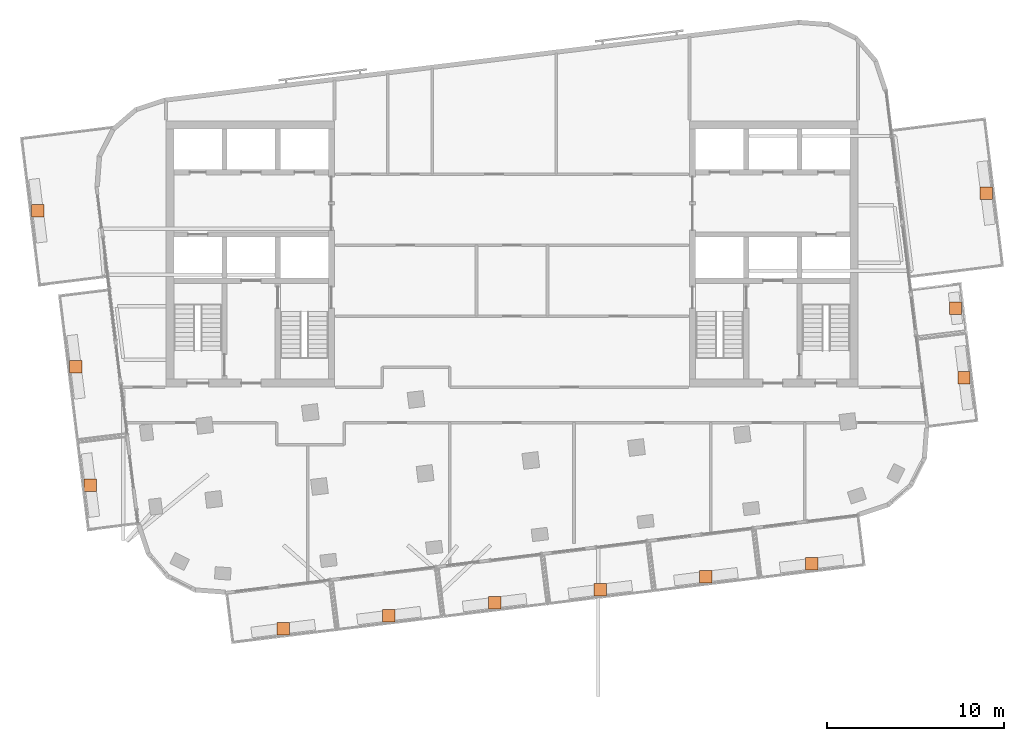
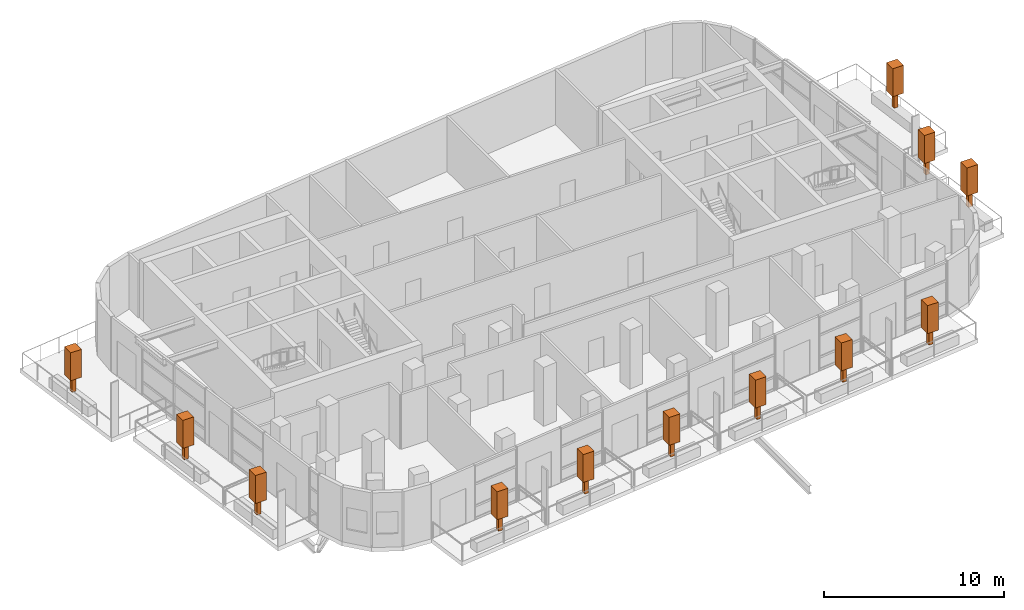
# One storey, part 13 of 13: 12 geographic elements.
"""IFC4 building model written with IfcOpenShell, lengths in metres."""

from ifc_helpers import new_model, si_unit, direction, frame, origin, origin_2d, place, context, subcontext, project, spatial, rectangle, extrude, material, element, save


model = new_model("IFC4")

# Units and contexts
model_context = context("Model", 3, precision=1e-05, world=origin(), true_north=direction((0.0, 1.0)))
body_context = subcontext(model_context, "Body", "Model", "MODEL_VIEW")
ifc_project = project(units=[si_unit("LENGTHUNIT", "METRE"), si_unit("AREAUNIT", "SQUARE_METRE"), si_unit("VOLUMEUNIT", "CUBIC_METRE"), si_unit("PLANEANGLEUNIT", "RADIAN"), si_unit("MASSUNIT", "GRAM", prefix="KILO")], contexts=[model_context])

# Site, building, storey
site_placement = place(None, origin())
site = spatial("IfcSite", under=ifc_project, at=site_placement, CompositionType="ELEMENT")
building_placement = place(site_placement, origin())
building = spatial("IfcBuilding", under=site, at=building_placement, Name="Torana Hotel and Residences", CompositionType="ELEMENT")
storey_placement = place(building_placement, frame((0.0, 0.0, 314.60009765625)))
storey = spatial("IfcBuildingStorey", under=building, at=storey_placement, Name="L83", CompositionType="ELEMENT", Elevation=314.60009765625)

# Geographic elements
ifc_material = material(Name="Foliage", Category="planting")
for number, where, z_axis, x_axis, name in (
    (1, (-12.8896484375, -28.605712890625, 0.64990234375), (0.0, 0.0, 1.0), (1.0, 0.0, 0.0), "Tree 01"),
    (2, (-6.934326171875, -27.87451171875, 0.64990234375), (0.0, 0.0, 1.0), (1.0, 0.0, 0.0), "Tree 02"),
    (3, (-0.97900390625, -27.143310546875, 0.64990234375), (0.0, 0.0, 1.0), (1.0, 0.0, 0.0), "Tree 03"),
    (4, (4.976318359375, -26.412109375, 0.64990234375), (0.0, 0.0, 1.0), (1.0, 0.0, 0.0), "Tree 04"),
    (5, (10.931396484375, -25.680908203125, 0.64990234375), (0.0, 0.0, 1.0), (1.0, 0.0, 0.0), "Tree 05"),
    (6, (16.88671875, -24.94970703125, 0.64990234375), (0.0, 0.0, 1.0), (1.0, 0.0, 0.0), "Tree 06"),
    (7, (-23.756103515625, -20.519775390625, 0.64990234375), (0.0, 0.0, 1.0), (1.0, 0.0, 0.0), "Tree 07"),
    (8, (-24.573974609375, -13.857421875, 0.64990234375), (0.0, 0.0, 1.0), (1.0, 0.0, 0.0), "Tree 08"),
    (9, (-26.71240234375, -5.058349609375, 0.64990234375), (0.0, 0.0, 1.0), (1.0, 0.0, 0.0), "Tree 09"),
    (10, (25.474365234375, -14.47509765625, 0.64990234375), (0.0, 0.0, 1.0), (1.0, 0.0, 0.0), "Tree 10"),
    (11, (24.992919921875, -10.5546875, 0.64990234375), (0.0, 0.0, 1.0), (1.0, 0.0, 0.0), "Tree 11"),
    (12, (26.71484375, -4.06494140625, 0.64990234375), (0.0, 0.0, 1.0), (1.0, 0.0, 0.0), "Tree 12"),
):
    element("IfcGeographicElement", number, at=place(storey_placement, frame(where, z_axis=z_axis, x_axis=x_axis)), inside=storey, material=ifc_material, Name=name, ObjectType="TREE", PredefinedType="USERDEFINED", context=body_context, shape_type="SweptSolid", body=[
        extrude(rectangle(XDim=0.25, YDim=0.25, at=origin_2d()), origin(), (0.0, 0.0, 1.0), 1.0),
        extrude(rectangle(XDim=0.699951171875, YDim=0.699951171875, at=origin_2d()), frame((0.0, 0.0, 1.0)), (0.0, 0.0, 1.0), 1.89990234375),
    ])

save(model, "model.ifc")
